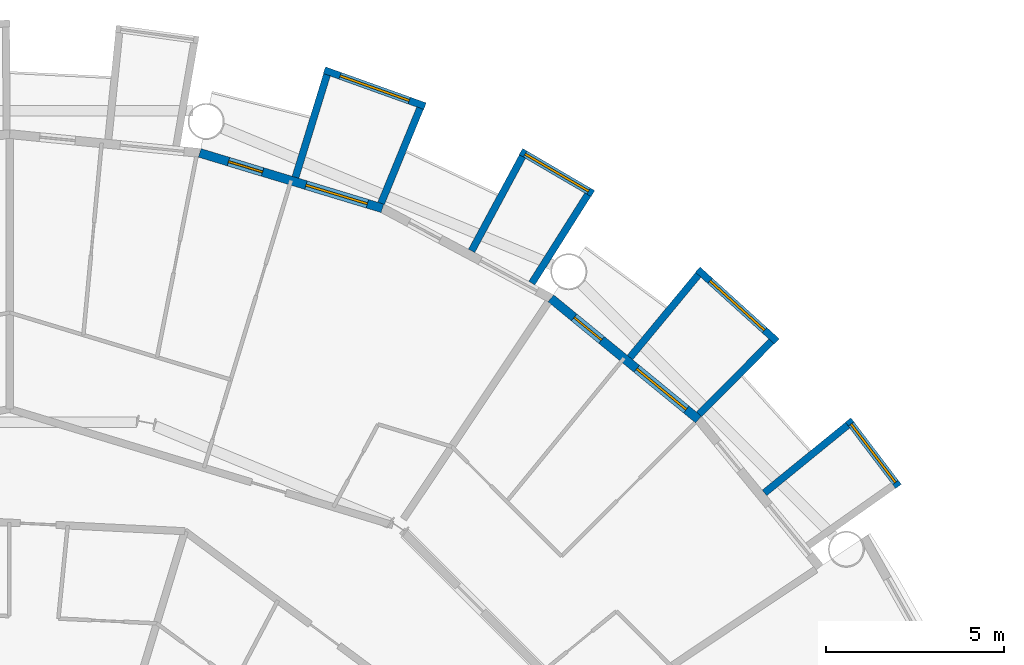
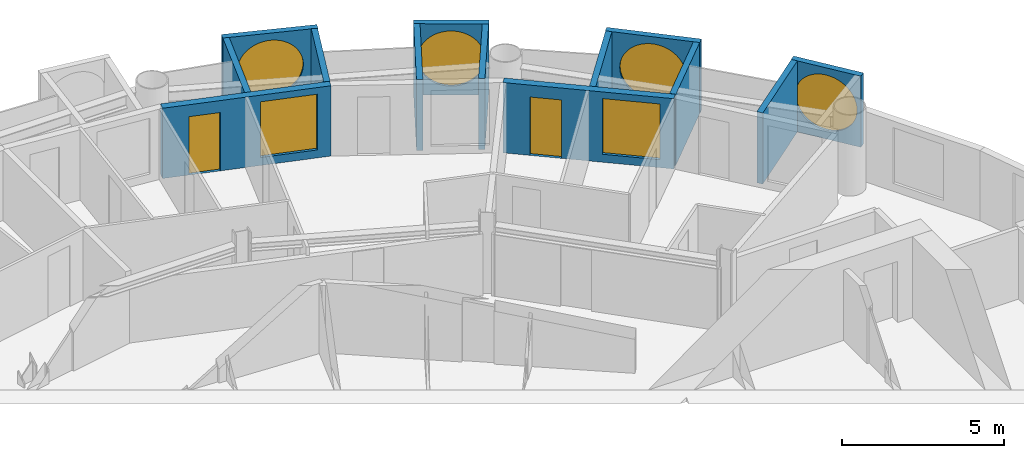
# One storey, part 22 of 25: 13 walls, 6 windows, 2 doors, 8 openings.
"""IFC4 building model written with IfcOpenShell, lengths in metres."""

from ifc_helpers import new_model, si_unit, direction, frame, frame_2d, origin, place, context, subcontext, project, spatial, rectangle, circle, extrude, material, layer, layer_set, type_object, element, fill, save


model = new_model("IFC4")

# Units and contexts
model_context = context("Model", 3, precision=1e-05, world=origin(), true_north=direction((0.0, 1.0)))
body_context = subcontext(model_context, "Body", "Model", "MODEL_VIEW")
ifc_project = project(units=[si_unit("LENGTHUNIT", "METRE"), si_unit("AREAUNIT", "SQUARE_METRE"), si_unit("VOLUMEUNIT", "CUBIC_METRE"), si_unit("PLANEANGLEUNIT", "RADIAN"), si_unit("MASSUNIT", "GRAM", prefix="KILO")], contexts=[model_context])

# Site, building, storey
site_placement = place(None, origin())
site = spatial("IfcSite", under=ifc_project, at=site_placement, CompositionType="ELEMENT")
building_placement = place(site_placement, origin())
building = spatial("IfcBuilding", under=site, at=building_placement, Name="Maasbend Ring Residences", CompositionType="ELEMENT")
storey_placement = place(building_placement, frame((0.0, 0.0, 94.10009765625)))
storey = spatial("IfcBuildingStorey", under=building, at=storey_placement, Name="L27", CompositionType="ELEMENT", Elevation=94.10009765625)

# Wall, opening, window
ifc_material_1 = material(Name="Pale anodised aluminium panel", Category="aluminium")
ifc_layer_1 = layer(ifc_material_1, 0.199951171875)
ifc_layer_set_1 = layer_set([ifc_layer_1], Name="EW-BOX")
wall_type_1 = type_object("IfcWallType", Name="EW-BOX", PredefinedType="SOLIDWALL", material=ifc_layer_set_1)
wall_1_placement = place(storey_placement, frame((24.908935546875, 17.427001953125, -0.030029296875), z_axis=(0.0, 0.0, 1.0), x_axis=(-0.60418752353, 0.796842165306, 0.0)))
wall_1 = element("IfcWall", 1, at=wall_1_placement, inside=storey, type_object=wall_type_1, Name="Box front N01", PredefinedType="SOLIDWALL", context=body_context, shape_type="SweptSolid", body=[
    extrude(rectangle(XDim=2.3369140625, YDim=0.199951171875, at=frame_2d((1.16845703125, 0.0))), origin(), (0.0, 0.0, 1.0), 2.679931640625),
])
opening_1_placement = place(wall_1_placement, frame((0.128173828125, 0.0, 0.330078125)))
opening_1 = element("IfcOpeningElement", 2, at=opening_1_placement, cuts=wall_1, Name="Opening W-RD", PredefinedType="OPENING", context=body_context, shape_type="SweptSolid", body=[
    extrude(circle(Radius=1.0400390625, at=frame_2d((1.0400390625, 1.0400390625))), frame((0.0, 0.10986328125, 0.0), z_axis=(0.0, -1.0, 0.0), x_axis=(1.0, 0.0, 0.0)), (0.0, 0.0, 1.0), 0.219970703125),
])
ifc_material_2 = material(Name="Aluminium and clear glass", Category="aluminium")
window_type_1 = type_object("IfcWindowType", Name="W-RD", PartitioningType="SINGLE_PANEL", PredefinedType="WINDOW", material=ifc_material_2)
window_1_placement = place(opening_1_placement, origin())
window_1 = element("IfcWindow", 3, at=window_1_placement, inside=storey, type_object=window_type_1, Name="Round window N01", OverallHeight=2.080078125, OverallWidth=2.080078125, PartitioningType="SINGLE_PANEL", PredefinedType="WINDOW", context=body_context, shape_type="SweptSolid", body=[
    extrude(circle(Radius=1.0400390625, at=frame_2d((1.0400390625, 1.0400390625))), frame((0.0, 0.030029296875, 0.0), z_axis=(0.0, -1.0, 0.0), x_axis=(1.0, 0.0, 0.0)), (0.0, 0.0, 1.0), 0.06005859375),
])
fill(opening_1, window_1)

# Wall
wall_2_placement = place(storey_placement, frame((21.155029296875, 17.24609375, -0.030029296875), z_axis=(0.0, 0.0, 1.0), x_axis=(0.775179004516, 0.631741648902, 0.0)))
element("IfcWall", 4, at=wall_2_placement, inside=storey, type_object=wall_type_1, Name="Box side wall N01 right", PredefinedType="SOLIDWALL", context=body_context, shape_type="SweptSolid", body=[
    extrude(rectangle(XDim=3.005859375, YDim=0.199951171875, at=frame_2d((1.5029296875, 0.0))), origin(), (0.0, 0.0, 1.0), 2.679931640625),
])

# Wall, opening, window
wall_3_placement = place(storey_placement, frame((21.5, 21.492919921875, -0.030029296875), z_axis=(0.0, 0.0, 1.0), x_axis=(-0.740998365753, 0.671506829416, 0.0)))
wall_3 = element("IfcWall", 5, at=wall_3_placement, inside=storey, type_object=wall_type_1, Name="Box front N03", PredefinedType="SOLIDWALL", context=body_context, shape_type="SweptSolid", body=[
    extrude(rectangle(XDim=2.9931640625, YDim=0.199951171875, at=frame_2d((1.49658203125, 0.0))), origin(), (0.0, 0.0, 1.0), 2.679931640625),
])
opening_2_placement = place(wall_3_placement, frame((0.45654296875, 0.0, 0.330078125)))
opening_2 = element("IfcOpeningElement", 6, at=opening_2_placement, cuts=wall_3, Name="Opening W-RD", PredefinedType="OPENING", context=body_context, shape_type="SweptSolid", body=[
    extrude(circle(Radius=1.0400390625, at=frame_2d((1.0400390625, 1.0400390625))), frame((0.0, 0.10986328125, 0.0), z_axis=(0.0, -1.0, 0.0), x_axis=(1.0, 0.0, 0.0)), (0.0, 0.0, 1.0), 0.219970703125),
])
window_2_placement = place(opening_2_placement, origin())
window_2 = element("IfcWindow", 7, at=window_2_placement, inside=storey, type_object=window_type_1, Name="Round window N03", OverallHeight=2.080078125, OverallWidth=2.080078125, PartitioningType="SINGLE_PANEL", PredefinedType="WINDOW", context=body_context, shape_type="SweptSolid", body=[
    extrude(circle(Radius=1.0400390625, at=frame_2d((1.0400390625, 1.0400390625))), frame((0.0, 0.030029296875, 0.0), z_axis=(0.0, -1.0, 0.0), x_axis=(1.0, 0.0, 0.0)), (0.0, 0.0, 1.0), 0.06005859375),
])
fill(opening_2, window_2)

# Walls
wall_4_placement = place(storey_placement, frame((19.322998046875, 19.449951171875, -0.030029296875), z_axis=(0.0, 0.0, 1.0), x_axis=(0.704476739375, 0.709727076896, 0.0)))
element("IfcWall", 8, at=wall_4_placement, inside=storey, type_object=wall_type_1, Name="Box side wall N03 left", PredefinedType="SOLIDWALL", context=body_context, shape_type="SweptSolid", body=[
    extrude(rectangle(XDim=2.883056640625, YDim=0.199951171875, at=frame_2d((1.44140625, 0.0))), origin(), (0.0, 0.0, 1.0), 2.679931640625),
])
wall_5_placement = place(storey_placement, frame((17.384033203125, 21.041015625, -0.030029296875), z_axis=(0.0, 0.0, 1.0), x_axis=(0.63709551667, 0.770784861449, 0.0)))
element("IfcWall", 9, at=wall_5_placement, inside=storey, type_object=wall_type_1, Name="Box side wall N03 right", PredefinedType="SOLIDWALL", context=body_context, shape_type="SweptSolid", body=[
    extrude(rectangle(XDim=3.005859375, YDim=0.199951171875, at=frame_2d((1.5029296875, 0.0))), origin(), (0.0, 0.0, 1.0), 2.679931640625),
])

# Wall, opening, window
wall_6_placement = place(storey_placement, frame((16.343994140625, 25.633056640625, -0.030029296875), z_axis=(0.0, 0.0, 1.0), x_axis=(-0.863346521872, 0.504611517081, 0.0)))
wall_6 = element("IfcWall", 10, at=wall_6_placement, inside=storey, type_object=wall_type_1, Name="Box front N05", PredefinedType="SOLIDWALL", context=body_context, shape_type="SweptSolid", body=[
    extrude(rectangle(XDim=2.33642578125, YDim=0.199951171875, at=frame_2d((1.168212890625, 0.0))), origin(), (0.0, 0.0, 1.0), 2.679931640625),
])
opening_3_placement = place(wall_6_placement, frame((0.128173828125, 0.0, 0.330078125)))
opening_3 = element("IfcOpeningElement", 11, at=opening_3_placement, cuts=wall_6, Name="Opening W-RD", PredefinedType="OPENING", context=body_context, shape_type="SweptSolid", body=[
    extrude(circle(Radius=1.0400390625, at=frame_2d((1.0400390625, 1.0400390625))), frame((0.0, 0.10986328125, 0.0), z_axis=(0.0, -1.0, 0.0), x_axis=(1.0, 0.0, 0.0)), (0.0, 0.0, 1.0), 0.219970703125),
])
window_3_placement = place(opening_3_placement, origin())
window_3 = element("IfcWindow", 12, at=window_3_placement, inside=storey, type_object=window_type_1, Name="Round window N05", OverallHeight=2.080078125, OverallWidth=2.080078125, PartitioningType="SINGLE_PANEL", PredefinedType="WINDOW", context=body_context, shape_type="SweptSolid", body=[
    extrude(circle(Radius=1.0400390625, at=frame_2d((1.0400390625, 1.0400390625))), frame((0.0, 0.030029296875, 0.0), z_axis=(0.0, -1.0, 0.0), x_axis=(1.0, 0.0, 0.0)), (0.0, 0.0, 1.0), 0.06005859375),
])
fill(opening_3, window_3)

# Walls
wall_7_placement = place(storey_placement, frame((14.635009765625, 23.1259765625, -0.030029296875), z_axis=(0.0, 0.0, 1.0), x_axis=(0.534437802731, 0.845207805816, 0.0)))
element("IfcWall", 13, at=wall_7_placement, inside=storey, type_object=wall_type_1, Name="Box side wall N05 left", PredefinedType="SOLIDWALL", context=body_context, shape_type="SweptSolid", body=[
    extrude(rectangle(XDim=2.931884765625, YDim=0.199951171875, at=frame_2d((1.4658203125, 0.0))), origin(), (0.0, 0.0, 1.0), 2.679931640625),
])
wall_8_placement = place(storey_placement, frame((12.945068359375, 24.029052734375, -0.030029296875), z_axis=(0.0, 0.0, 1.0), x_axis=(0.474424310775, 0.88029629861, 0.0)))
element("IfcWall", 14, at=wall_8_placement, inside=storey, type_object=wall_type_1, Name="Box side wall N05 right", PredefinedType="SOLIDWALL", context=body_context, shape_type="SweptSolid", body=[
    extrude(rectangle(XDim=3.005859375, YDim=0.199951171875, at=frame_2d((1.5029296875, 0.0))), origin(), (0.0, 0.0, 1.0), 2.679931640625),
])

# Wall, opening, window
wall_9_placement = place(storey_placement, frame((11.637939453125, 28.083984375, -0.030029296875), z_axis=(0.0, 0.0, 1.0), x_axis=(-0.941461077774, 0.337121697664, 0.0)))
wall_9 = element("IfcWall", 15, at=wall_9_placement, inside=storey, type_object=wall_type_1, Name="Box front N07", PredefinedType="SOLIDWALL", context=body_context, shape_type="SweptSolid", body=[
    extrude(rectangle(XDim=2.9931640625, YDim=0.199951171875, at=frame_2d((1.49658203125, 0.0))), origin(), (0.0, 0.0, 1.0), 2.679931640625),
])
opening_4_placement = place(wall_9_placement, frame((0.45654296875, 0.0, 0.330078125)))
opening_4 = element("IfcOpeningElement", 16, at=opening_4_placement, cuts=wall_9, Name="Opening W-RD", PredefinedType="OPENING", context=body_context, shape_type="SweptSolid", body=[
    extrude(circle(Radius=1.0400390625, at=frame_2d((1.0400390625, 1.0400390625))), frame((0.0, 0.10986328125, 0.0), z_axis=(0.0, -1.0, 0.0), x_axis=(1.0, 0.0, 0.0)), (0.0, 0.0, 1.0), 0.219970703125),
])
window_4_placement = place(opening_4_placement, origin())
window_4 = element("IfcWindow", 17, at=window_4_placement, inside=storey, type_object=window_type_1, Name="Round window N07", OverallHeight=2.080078125, OverallWidth=2.080078125, PartitioningType="SINGLE_PANEL", PredefinedType="WINDOW", context=body_context, shape_type="SweptSolid", body=[
    extrude(circle(Radius=1.0400390625, at=frame_2d((1.0400390625, 1.0400390625))), frame((0.0, 0.030029296875, 0.0), z_axis=(0.0, -1.0, 0.0), x_axis=(1.0, 0.0, 0.0)), (0.0, 0.0, 1.0), 0.06005859375),
])
fill(opening_4, window_4)

# Walls
wall_10_placement = place(storey_placement, frame((10.408935546875, 25.364013671875, -0.030029296875), z_axis=(0.0, 0.0, 1.0), x_axis=(0.379509886562, 0.925187681501, 0.0)))
element("IfcWall", 18, at=wall_10_placement, inside=storey, type_object=wall_type_1, Name="Box side wall N07 left", PredefinedType="SOLIDWALL", context=body_context, shape_type="SweptSolid", body=[
    extrude(rectangle(XDim=2.882568359375, YDim=0.199951171875, at=frame_2d((1.44140625, 0.0))), origin(), (0.0, 0.0, 1.0), 2.679931640625),
])
wall_11_placement = place(storey_placement, frame((8.009033203125, 26.092041015625, -0.030029296875), z_axis=(0.0, 0.0, 1.0), x_axis=(0.293406695073, 0.955987715029, 0.0)))
element("IfcWall", 19, at=wall_11_placement, inside=storey, type_object=wall_type_1, Name="Box side wall N07 right", PredefinedType="SOLIDWALL", context=body_context, shape_type="SweptSolid", body=[
    extrude(rectangle(XDim=3.00634765625, YDim=0.199951171875, at=frame_2d((1.503173828125, 0.0))), origin(), (0.0, 0.0, 1.0), 2.679931640625),
])

# Wall, openings, door, window
ifc_material_3 = material(Name="Aluminium clad insulated panel", Category="aluminium")
ifc_layer_2 = layer(ifc_material_3, 0.25)
ifc_layer_set_2 = layer_set([ifc_layer_2], Name="EW-GL")
wall_type_2 = type_object("IfcWallType", Name="EW-GL", PredefinedType="SOLIDWALL", material=ifc_layer_set_2)
wall_12_placement = place(storey_placement, frame((19.303955078125, 19.303955078125, 0.0), z_axis=(0.0, 0.0, 1.0), x_axis=(-0.773019449054, 0.634382322723, 0.0)))
wall_12 = element("IfcWall", 20, at=wall_12_placement, inside=storey, type_object=wall_type_2, Name="External wall N02", PredefinedType="SOLIDWALL", context=body_context, shape_type="SweptSolid", body=[
    extrude(rectangle(XDim=5.351806640625, YDim=0.25, at=frame_2d((2.67578125, 0.0))), origin(), (0.0, 0.0, 1.0), 2.64990234375),
])
opening_5_placement = place(wall_12_placement, frame((0.441162109375, 0.0, 0.300048828125)))
opening_5 = element("IfcOpeningElement", 21, at=opening_5_placement, cuts=wall_12, Name="Opening W-BX", PredefinedType="OPENING", context=body_context, shape_type="SweptSolid", body=[
    extrude(rectangle(XDim=1.800048828125, YDim=2.10009765625, at=frame_2d((0.89990234375, 1.050048828125))), frame((0.0, 0.135009765625, 0.0), z_axis=(0.0, -1.0, 0.0), x_axis=(1.0, 0.0, 0.0)), (0.0, 0.0, 1.0), 0.27001953125),
])
opening_6_placement = place(wall_12_placement, frame((3.510498046875, 0.0, 0.0)))
opening_6 = element("IfcOpeningElement", 22, at=opening_6_placement, cuts=wall_12, Name="Opening D-LG", PredefinedType="OPENING", context=body_context, shape_type="SweptSolid", body=[
    extrude(rectangle(XDim=1.0, YDim=2.199951171875, at=frame_2d((0.5, 1.10009765625))), frame((0.0, 0.135009765625, 0.0), z_axis=(0.0, -1.0, 0.0), x_axis=(1.0, 0.0, 0.0)), (0.0, 0.0, 1.0), 0.27001953125),
])
ifc_material_4 = material(Name="Aluminium and clear glass", Category="aluminium")
door_type = type_object("IfcDoorType", Name="D-LG", OperationType="SINGLE_SWING_LEFT", PredefinedType="DOOR", material=ifc_material_4)
door_1_placement = place(opening_6_placement, origin())
door_1 = element("IfcDoor", 23, at=door_1_placement, inside=storey, type_object=door_type, Name="Loggia door N04", OperationType="SINGLE_SWING_LEFT", OverallHeight=2.199951171875, OverallWidth=1.0, PredefinedType="DOOR", context=body_context, shape_type="SweptSolid", body=[
    extrude(rectangle(XDim=1.0, YDim=2.199951171875, at=frame_2d((0.5, 1.10009765625))), frame((0.0, 0.02490234375, 0.0), z_axis=(0.0, -1.0, 0.0), x_axis=(1.0, 0.0, 0.0)), (0.0, 0.0, 1.0), 0.050048828125),
])
fill(opening_6, door_1)
ifc_material_5 = material(Name="Aluminium and clear glass", Category="aluminium")
window_type_2 = type_object("IfcWindowType", Name="W-BX", PartitioningType="DOUBLE_PANEL_VERTICAL", PredefinedType="WINDOW", material=ifc_material_5)
window_5_placement = place(opening_5_placement, origin())
window_5 = element("IfcWindow", 24, at=window_5_placement, inside=storey, type_object=window_type_2, Name="Window N03 room to box", OverallHeight=2.10009765625, OverallWidth=1.800048828125, PartitioningType="SINGLE_PANEL", PredefinedType="WINDOW", context=body_context, shape_type="SweptSolid", body=[
    extrude(rectangle(XDim=1.800048828125, YDim=2.10009765625, at=frame_2d((0.89990234375, 1.050048828125))), frame((0.0, 0.030029296875, 0.0), z_axis=(0.0, -1.0, 0.0), x_axis=(1.0, 0.0, 0.0)), (0.0, 0.0, 1.0), 0.06005859375),
])
fill(opening_5, window_5)

wall_13_placement = place(storey_placement, frame((10.447021484375, 25.221923828125, 0.0), z_axis=(0.0, 0.0, 1.0), x_axis=(-0.956965678721, 0.290201119486, 0.0)))
wall_13 = element("IfcWall", 25, at=wall_13_placement, inside=storey, type_object=wall_type_2, Name="External wall N04", PredefinedType="SOLIDWALL", context=body_context, shape_type="SweptSolid", body=[
    extrude(rectangle(XDim=5.351318359375, YDim=0.25, at=frame_2d((2.67578125, 0.0))), origin(), (0.0, 0.0, 1.0), 2.64990234375),
])
opening_7_placement = place(wall_13_placement, frame((0.441162109375, 0.0, 0.300048828125)))
opening_7 = element("IfcOpeningElement", 26, at=opening_7_placement, cuts=wall_13, Name="Opening W-BX", PredefinedType="OPENING", context=body_context, shape_type="SweptSolid", body=[
    extrude(rectangle(XDim=1.800048828125, YDim=2.10009765625, at=frame_2d((0.89990234375, 1.050048828125))), frame((0.0, 0.135009765625, 0.0), z_axis=(0.0, -1.0, 0.0), x_axis=(1.0, 0.0, 0.0)), (0.0, 0.0, 1.0), 0.27001953125),
])
opening_8_placement = place(wall_13_placement, frame((3.510498046875, 0.0, 0.0)))
opening_8 = element("IfcOpeningElement", 27, at=opening_8_placement, cuts=wall_13, Name="Opening D-LG", PredefinedType="OPENING", context=body_context, shape_type="SweptSolid", body=[
    extrude(rectangle(XDim=1.0, YDim=2.199951171875, at=frame_2d((0.5, 1.10009765625))), frame((0.0, 0.135009765625, 0.0), z_axis=(0.0, -1.0, 0.0), x_axis=(1.0, 0.0, 0.0)), (0.0, 0.0, 1.0), 0.27001953125),
])
door_2_placement = place(opening_8_placement, origin())
door_2 = element("IfcDoor", 28, at=door_2_placement, inside=storey, type_object=door_type, Name="Loggia door N08", OperationType="SINGLE_SWING_LEFT", OverallHeight=2.199951171875, OverallWidth=1.0, PredefinedType="DOOR", context=body_context, shape_type="SweptSolid", body=[
    extrude(rectangle(XDim=1.0, YDim=2.199951171875, at=frame_2d((0.5, 1.10009765625))), frame((0.0, 0.02490234375, 0.0), z_axis=(0.0, -1.0, 0.0), x_axis=(1.0, 0.0, 0.0)), (0.0, 0.0, 1.0), 0.050048828125),
])
fill(opening_8, door_2)
window_6_placement = place(opening_7_placement, origin())
window_6 = element("IfcWindow", 29, at=window_6_placement, inside=storey, type_object=window_type_2, Name="Window N07 room to box", OverallHeight=2.10009765625, OverallWidth=1.800048828125, PartitioningType="SINGLE_PANEL", PredefinedType="WINDOW", context=body_context, shape_type="SweptSolid", body=[
    extrude(rectangle(XDim=1.800048828125, YDim=2.10009765625, at=frame_2d((0.89990234375, 1.050048828125))), frame((0.0, 0.030029296875, 0.0), z_axis=(0.0, -1.0, 0.0), x_axis=(1.0, 0.0, 0.0)), (0.0, 0.0, 1.0), 0.06005859375),
])
fill(opening_7, window_6)

save(model, "model.ifc")
